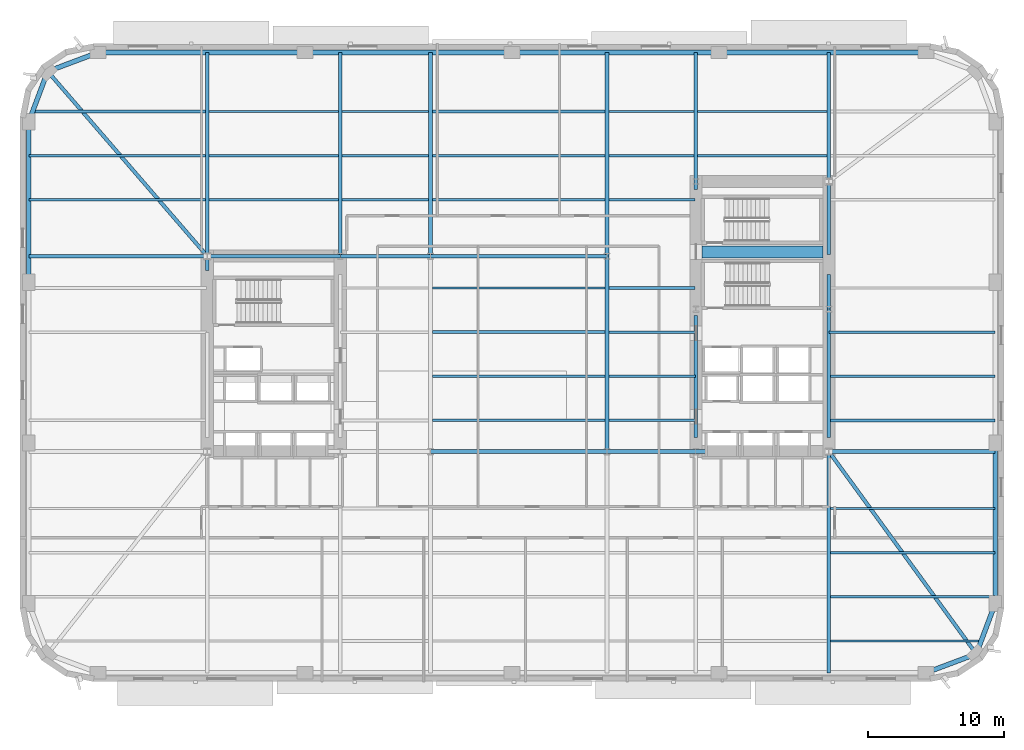
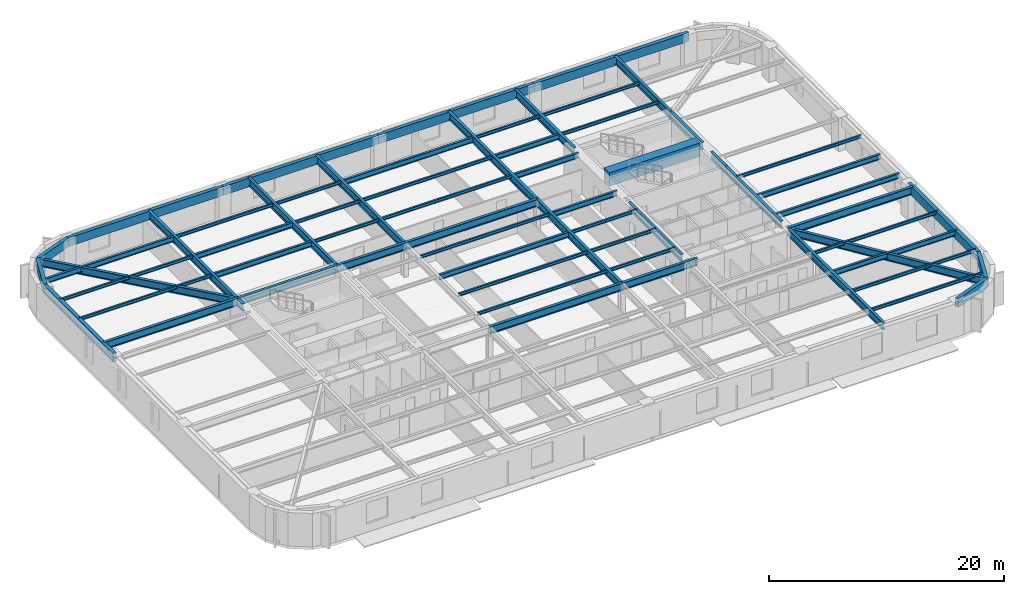
# One storey, part 2 of 15: 64 beams.
"""IFC4 building model written with IfcOpenShell, lengths in metres."""

from ifc_helpers import new_model, si_unit, direction, frame, origin, origin_2d, place, context, subcontext, project, spatial, rectangle, hollow_rectangle, i_section, extrude, material, material_profile, profile_set, type_object, element, save


model = new_model("IFC4")

# Units and contexts
model_context = context("Model", 3, precision=1e-05, world=origin(), true_north=direction((0.0, 1.0)))
body_context = subcontext(model_context, "Body", "Model", "MODEL_VIEW")
ifc_project = project(units=[si_unit("LENGTHUNIT", "METRE"), si_unit("AREAUNIT", "SQUARE_METRE"), si_unit("VOLUMEUNIT", "CUBIC_METRE"), si_unit("PLANEANGLEUNIT", "RADIAN"), si_unit("MASSUNIT", "GRAM", prefix="KILO")], contexts=[model_context])

# Site, building, storey
site_placement = place(None, origin())
site = spatial("IfcSite", under=ifc_project, at=site_placement, CompositionType="ELEMENT")
building_placement = place(site_placement, origin())
building = spatial("IfcBuilding", under=site, at=building_placement, Name="Kolvaren Arena Tower", CompositionType="ELEMENT")
storey_placement = place(building_placement, frame((0.0, 0.0, 72.0)))
storey = spatial("IfcBuildingStorey", under=building, at=storey_placement, Name="L15", CompositionType="ELEMENT", Elevation=72.0)

# Beams
ifc_material_1 = material(Name="Steel CSA G40.21 350W", Category="steel")
ifc_material_profile_1 = material_profile(ifc_material_1, i_section(OverallWidth=0.2119140625, OverallDepth=0.54296875, WebThickness=0.01318359375, FlangeThickness=0.0244140625, FilletRadius=0.013916015625, at=origin_2d()), Name="W530x150")
ifc_profile_set_1 = profile_set([ifc_material_profile_1], Name="Steel CSA G40.21 350W")
beam_type_1 = type_object("IfcBeamType", Name="BEAM-F1", PredefinedType="BEAM", material=ifc_profile_set_1)
beam_1_placement = place(storey_placement, frame((60.485107421875, 12.0, 3.20849609375), z_axis=(1.0, 0.0, 0.0), x_axis=(0.0, 1.0, 0.0)))
element("IfcBeam", 1, at=beam_1_placement, inside=storey, type_object=beam_type_1, Name="Composite Floor Beam (L15)", PredefinedType="BEAM", context=body_context, shape_type="SweptSolid", body=[
    extrude(i_section(OverallWidth=0.2119140625, OverallDepth=0.54296875, WebThickness=0.01318359375, FlangeThickness=0.0244140625, FilletRadius=0.013916015625, at=origin_2d()), origin(), (0.0, 0.0, 1.0), 12.114990234375),
])
for number, where, z_axis, x_axis, name in (
    (2, (60.3701171875, 21.75, 3.20849609375), (1.0, 0.0, 0.0), (0.0, 1.0, 0.0), "Composite Floor Beam (L15)"),
    (3, (60.3701171875, 25.0, 3.20849609375), (1.0, 0.0, 0.0), (0.0, 1.0, 0.0), "Composite Floor Beam (L15)"),
):
    element("IfcBeam", number, at=place(storey_placement, frame(where, z_axis=z_axis, x_axis=x_axis)), inside=storey, type_object=beam_type_1, Name=name, PredefinedType="BEAM", context=body_context, shape_type="SweptSolid", body=[
        extrude(i_section(OverallWidth=0.2119140625, OverallDepth=0.54296875, WebThickness=0.01318359375, FlangeThickness=0.0244140625, FilletRadius=0.013916015625, at=origin_2d()), origin(), (0.0, 0.0, 1.0), 12.22998046875),
    ])
beam_2_placement = place(storey_placement, frame((31.135009765625, 28.25, 3.20849609375), z_axis=(1.0, 0.0, 0.0), x_axis=(0.0, 1.0, 0.0)))
element("IfcBeam", 4, at=beam_2_placement, inside=storey, type_object=beam_type_1, Name="Composite Floor Beam (L15)", PredefinedType="BEAM", context=body_context, shape_type="SweptSolid", body=[
    extrude(i_section(OverallWidth=0.2119140625, OverallDepth=0.54296875, WebThickness=0.01318359375, FlangeThickness=0.0244140625, FilletRadius=0.013916015625, at=origin_2d()), origin(), (0.0, 0.0, 1.0), 12.72998046875),
])
beam_3_placement = place(storey_placement, frame((44.135009765625, 31.5, 3.20849609375), z_axis=(1.0, 0.0, 0.0), x_axis=(0.0, 1.0, 0.0)))
element("IfcBeam", 5, at=beam_3_placement, inside=storey, type_object=beam_type_1, Name="Composite Floor Beam (L15)", PredefinedType="BEAM", context=body_context, shape_type="SweptSolid", body=[
    extrude(i_section(OverallWidth=0.2119140625, OverallDepth=0.54296875, WebThickness=0.01318359375, FlangeThickness=0.0244140625, FilletRadius=0.013916015625, at=origin_2d()), origin(), (0.0, 0.0, 1.0), 6.344970703125),
])
beam_4_placement = place(storey_placement, frame((14.68505859375, 38.0, 3.20849609375), z_axis=(1.0, 0.0, 0.0), x_axis=(0.0, 1.0, 0.0)))
element("IfcBeam", 6, at=beam_4_placement, inside=storey, type_object=beam_type_1, Name="Composite Floor Beam (L15)", PredefinedType="BEAM", context=body_context, shape_type="SweptSolid", body=[
    extrude(i_section(OverallWidth=0.2119140625, OverallDepth=0.54296875, WebThickness=0.01318359375, FlangeThickness=0.0244140625, FilletRadius=0.013916015625, at=origin_2d()), origin(), (0.0, 0.0, 1.0), 9.530029296875),
])
beam_5_placement = place(storey_placement, frame((44.135009765625, 38.0, 3.20849609375), z_axis=(1.0, 0.0, 0.0), x_axis=(0.0, 1.0, 0.0)))
element("IfcBeam", 7, at=beam_5_placement, inside=storey, type_object=beam_type_1, Name="Composite Floor Beam (L15)", PredefinedType="BEAM", context=body_context, shape_type="SweptSolid", body=[
    extrude(i_section(OverallWidth=0.2119140625, OverallDepth=0.54296875, WebThickness=0.01318359375, FlangeThickness=0.0244140625, FilletRadius=0.013916015625, at=origin_2d()), origin(), (0.0, 0.0, 1.0), 6.344970703125),
])
beam_6_placement = place(storey_placement, frame((14.68505859375, 41.25, 3.20849609375), z_axis=(1.0, 0.0, 0.0), x_axis=(0.0, 1.0, 0.0)))
element("IfcBeam", 8, at=beam_6_placement, inside=storey, type_object=beam_type_1, Name="Composite Floor Beam (L15)", PredefinedType="BEAM", context=body_context, shape_type="SweptSolid", body=[
    extrude(i_section(OverallWidth=0.2119140625, OverallDepth=0.54296875, WebThickness=0.01318359375, FlangeThickness=0.0244140625, FilletRadius=0.013916015625, at=origin_2d()), origin(), (0.0, 0.0, 1.0), 9.530029296875),
])
beam_7_placement = place(storey_placement, frame((44.135009765625, 41.25, 3.20849609375), z_axis=(1.0, 0.0, 0.0), x_axis=(0.0, 1.0, 0.0)))
element("IfcBeam", 9, at=beam_7_placement, inside=storey, type_object=beam_type_1, Name="Composite Floor Beam (L15)", PredefinedType="BEAM", context=body_context, shape_type="SweptSolid", body=[
    extrude(i_section(OverallWidth=0.2119140625, OverallDepth=0.54296875, WebThickness=0.01318359375, FlangeThickness=0.0244140625, FilletRadius=0.013916015625, at=origin_2d()), origin(), (0.0, 0.0, 1.0), 6.280029296875),
])
beam_8_placement = place(storey_placement, frame((1.681396484375, 44.5, 3.20849609375), z_axis=(1.0, 0.0, 0.0), x_axis=(0.0, 1.0, 0.0)))
element("IfcBeam", 10, at=beam_8_placement, inside=storey, type_object=beam_type_1, Name="Composite Floor Beam (L15)", PredefinedType="BEAM", context=body_context, shape_type="SweptSolid", body=[
    extrude(i_section(OverallWidth=0.2119140625, OverallDepth=0.54296875, WebThickness=0.01318359375, FlangeThickness=0.0244140625, FilletRadius=0.013916015625, at=origin_2d()), origin(), (0.0, 0.0, 1.0), 12.733642578125),
])
beam_9_placement = place(storey_placement, frame((31.135009765625, 44.5, 3.20849609375), z_axis=(1.0, 0.0, 0.0), x_axis=(0.0, 1.0, 0.0)))
element("IfcBeam", 11, at=beam_9_placement, inside=storey, type_object=beam_type_1, Name="Composite Floor Beam (L15)", PredefinedType="BEAM", context=body_context, shape_type="SweptSolid", body=[
    extrude(i_section(OverallWidth=0.2119140625, OverallDepth=0.54296875, WebThickness=0.01318359375, FlangeThickness=0.0244140625, FilletRadius=0.013916015625, at=origin_2d()), origin(), (0.0, 0.0, 1.0), 12.72998046875),
])
ifc_material_2 = material(Name="Concrete 75 MPa", Category="concrete")
ifc_material_profile_2 = material_profile(ifc_material_2, rectangle(XDim=0.89990234375, YDim=1.39990234375, at=origin_2d()), Name="RC-900x1400")
ifc_profile_set_2 = profile_set([ifc_material_profile_2], Name="Concrete 75 MPa")
beam_type_2 = type_object("IfcBeamType", Name="CB-CORE-1", PredefinedType="BEAM", material=ifc_profile_set_2)
beam_10_placement = place(storey_placement, frame((51.0, 34.14990234375, 3.050048828125), z_axis=(1.0, 0.0, 0.0), x_axis=(0.0, 1.0, 0.0)))
element("IfcBeam", 12, at=beam_10_placement, inside=storey, type_object=beam_type_2, Name="East Core Coupling Beam (L15)", PredefinedType="BEAM", context=body_context, shape_type="SweptSolid", body=[
    extrude(rectangle(XDim=0.89990234375, YDim=1.39990234375, at=origin_2d()), origin(), (0.0, 0.0, 1.0), 8.89990234375),
])
ifc_material_profile_3 = material_profile(ifc_material_1, i_section(OverallWidth=0.27001953125, OverallDepth=0.77294921875, WebThickness=0.019287109375, FlangeThickness=0.033447265625, FilletRadius=0.01806640625, at=origin_2d()), Name="W760x257")
ifc_profile_set_3 = profile_set([ifc_material_profile_3], Name="Steel CSA G40.21 350W")
beam_type_3 = type_object("IfcBeamType", Name="GIRD-T1", PredefinedType="BEAM", material=ifc_profile_set_3)
beam_11_placement = place(storey_placement, frame((71.208740234375, 4.541259765625, 3.093505859375), z_axis=(-0.588737448901, 0.80832432616, 0.0), x_axis=(-0.80832432616, -0.588737448901, 0.0)))
element("IfcBeam", 13, at=beam_11_placement, inside=storey, type_object=beam_type_3, Name="Corner Diagonal Tie Girder (L15)", PredefinedType="BEAM", context=body_context, shape_type="SweptSolid", body=[
    extrude(i_section(OverallWidth=0.27001953125, OverallDepth=0.77294921875, WebThickness=0.019287109375, FlangeThickness=0.033447265625, FilletRadius=0.01806640625, at=origin_2d()), origin(), (0.0, 0.0, 1.0), 18.44384765625),
])
beam_12_placement = place(storey_placement, frame((2.791259765625, 47.458740234375, 3.093505859375), z_axis=(0.653806810332, -0.756661519283, 0.0), x_axis=(0.756661519283, 0.653806810332, 0.0)))
element("IfcBeam", 14, at=beam_12_placement, inside=storey, type_object=beam_type_3, Name="Corner Diagonal Tie Girder (L15)", PredefinedType="BEAM", context=body_context, shape_type="SweptSolid", body=[
    extrude(i_section(OverallWidth=0.27001953125, OverallDepth=0.77294921875, WebThickness=0.019287109375, FlangeThickness=0.033447265625, FilletRadius=0.01806640625, at=origin_2d()), origin(), (0.0, 0.0, 1.0), 17.985107421875),
])
beam_13_placement = place(storey_placement, frame((31.0, 19.449951171875, 3.093505859375), z_axis=(1.0, 0.0, 0.0), x_axis=(0.0, 1.0, 0.0)))
element("IfcBeam", 15, at=beam_13_placement, inside=storey, type_object=beam_type_3, Name="Primary Floor Girder (L15)", PredefinedType="BEAM", context=body_context, shape_type="SweptSolid", body=[
    extrude(i_section(OverallWidth=0.27001953125, OverallDepth=0.77294921875, WebThickness=0.019287109375, FlangeThickness=0.033447265625, FilletRadius=0.01806640625, at=origin_2d()), origin(), (0.0, 0.0, 1.0), 13.0),
])
beam_14_placement = place(storey_placement, frame((44.0, 19.449951171875, 3.093505859375), z_axis=(1.0, 0.0, 0.0), x_axis=(0.0, 1.0, 0.0)))
element("IfcBeam", 16, at=beam_14_placement, inside=storey, type_object=beam_type_3, Name="Primary Floor Girder (L15)", PredefinedType="BEAM", context=body_context, shape_type="SweptSolid", body=[
    extrude(i_section(OverallWidth=0.27001953125, OverallDepth=0.77294921875, WebThickness=0.019287109375, FlangeThickness=0.033447265625, FilletRadius=0.01806640625, at=origin_2d()), origin(), (0.0, 0.0, 1.0), 7.4150390625),
])
beam_15_placement = place(storey_placement, frame((60.35009765625, 19.449951171875, 3.093505859375), z_axis=(1.0, 0.0, 0.0), x_axis=(0.0, 1.0, 0.0)))
element("IfcBeam", 17, at=beam_15_placement, inside=storey, type_object=beam_type_3, Name="Primary Floor Girder (L15)", PredefinedType="BEAM", context=body_context, shape_type="SweptSolid", body=[
    extrude(i_section(OverallWidth=0.27001953125, OverallDepth=0.77294921875, WebThickness=0.019287109375, FlangeThickness=0.033447265625, FilletRadius=0.01806640625, at=origin_2d()), origin(), (0.0, 0.0, 1.0), 12.25),
])
beam_16_placement = place(storey_placement, frame((1.39990234375, 33.85009765625, 3.093505859375), z_axis=(1.0, 0.0, 0.0), x_axis=(0.0, 1.0, 0.0)))
element("IfcBeam", 18, at=beam_16_placement, inside=storey, type_object=beam_type_3, Name="Primary Floor Girder (L15)", PredefinedType="BEAM", context=body_context, shape_type="SweptSolid", body=[
    extrude(i_section(OverallWidth=0.27001953125, OverallDepth=0.77294921875, WebThickness=0.019287109375, FlangeThickness=0.033447265625, FilletRadius=0.01806640625, at=origin_2d()), origin(), (0.0, 0.0, 1.0), 13.150146484375),
])
beam_17_placement = place(storey_placement, frame((14.550048828125, 33.85009765625, 3.093505859375), z_axis=(1.0, 0.0, 0.0), x_axis=(0.0, 1.0, 0.0)))
element("IfcBeam", 19, at=beam_17_placement, inside=storey, type_object=beam_type_3, Name="Primary Floor Girder (L15)", PredefinedType="BEAM", context=body_context, shape_type="SweptSolid", body=[
    extrude(i_section(OverallWidth=0.27001953125, OverallDepth=0.77294921875, WebThickness=0.019287109375, FlangeThickness=0.033447265625, FilletRadius=0.01806640625, at=origin_2d()), origin(), (0.0, 0.0, 1.0), 9.800048828125),
])
beam_18_placement = place(storey_placement, frame((24.35009765625, 33.85009765625, 3.093505859375), z_axis=(1.0, 0.0, 0.0), x_axis=(0.0, 1.0, 0.0)))
element("IfcBeam", 20, at=beam_18_placement, inside=storey, type_object=beam_type_3, Name="Primary Floor Girder (L15)", PredefinedType="BEAM", context=body_context, shape_type="SweptSolid", body=[
    extrude(i_section(OverallWidth=0.27001953125, OverallDepth=0.77294921875, WebThickness=0.019287109375, FlangeThickness=0.033447265625, FilletRadius=0.01806640625, at=origin_2d()), origin(), (0.0, 0.0, 1.0), 6.64990234375),
])
beam_19_placement = place(storey_placement, frame((31.0, 33.85009765625, 3.093505859375), z_axis=(1.0, 0.0, 0.0), x_axis=(0.0, 1.0, 0.0)))
element("IfcBeam", 21, at=beam_19_placement, inside=storey, type_object=beam_type_3, Name="Primary Floor Girder (L15)", PredefinedType="BEAM", context=body_context, shape_type="SweptSolid", body=[
    extrude(i_section(OverallWidth=0.27001953125, OverallDepth=0.77294921875, WebThickness=0.019287109375, FlangeThickness=0.033447265625, FilletRadius=0.01806640625, at=origin_2d()), origin(), (0.0, 0.0, 1.0), 13.0),
])
beam_20_placement = place(storey_placement, frame((14.550048828125, 32.7900390625, 3.093505859375), z_axis=(0.0, 1.0, 0.0), x_axis=(-1.0, 0.0, 0.0)))
element("IfcBeam", 22, at=beam_20_placement, inside=storey, type_object=beam_type_3, Name="Primary Floor Girder (L15)", PredefinedType="BEAM", context=body_context, shape_type="SweptSolid", body=[
    extrude(i_section(OverallWidth=0.27001953125, OverallDepth=0.77294921875, WebThickness=0.019287109375, FlangeThickness=0.033447265625, FilletRadius=0.01806640625, at=origin_2d()), origin(), (0.0, 0.0, 1.0), 16.06005859375),
])
for number, where, z_axis, x_axis, name in (
    (23, (24.35009765625, 33.85009765625, 3.093505859375), (0.0, 1.0, 0.0), (-1.0, 0.0, 0.0), "Primary Floor Girder (L15)"),
    (24, (31.0, 33.85009765625, 3.093505859375), (0.0, 1.0, 0.0), (-1.0, 0.0, 0.0), "Primary Floor Girder (L15)"),
):
    element("IfcBeam", number, at=place(storey_placement, frame(where, z_axis=z_axis, x_axis=x_axis)), inside=storey, type_object=beam_type_3, Name=name, PredefinedType="BEAM", context=body_context, shape_type="SweptSolid", body=[
        extrude(i_section(OverallWidth=0.27001953125, OverallDepth=0.77294921875, WebThickness=0.019287109375, FlangeThickness=0.033447265625, FilletRadius=0.01806640625, at=origin_2d()), origin(), (0.0, 0.0, 1.0), 15.0),
    ])
beam_21_placement = place(storey_placement, frame((44.0, 19.449951171875, 3.093505859375), z_axis=(0.0, 1.0, 0.0), x_axis=(-1.0, 0.0, 0.0)))
element("IfcBeam", 25, at=beam_21_placement, inside=storey, type_object=beam_type_3, Name="Primary Floor Girder (L15)", PredefinedType="BEAM", context=body_context, shape_type="SweptSolid", body=[
    extrude(i_section(OverallWidth=0.27001953125, OverallDepth=0.77294921875, WebThickness=0.019287109375, FlangeThickness=0.033447265625, FilletRadius=0.01806640625, at=origin_2d()), origin(), (0.0, 0.0, 1.0), 14.400146484375),
])
beam_22_placement = place(storey_placement, frame((44.0, 33.85009765625, 3.093505859375), z_axis=(0.0, 1.0, 0.0), x_axis=(-1.0, 0.0, 0.0)))
element("IfcBeam", 26, at=beam_22_placement, inside=storey, type_object=beam_type_3, Name="Primary Floor Girder (L15)", PredefinedType="BEAM", context=body_context, shape_type="SweptSolid", body=[
    extrude(i_section(OverallWidth=0.27001953125, OverallDepth=0.77294921875, WebThickness=0.019287109375, FlangeThickness=0.033447265625, FilletRadius=0.01806640625, at=origin_2d()), origin(), (0.0, 0.0, 1.0), 15.0),
])
beam_23_placement = place(storey_placement, frame((50.550048828125, 20.5, 3.093505859375), z_axis=(0.0, 1.0, 0.0), x_axis=(-1.0, 0.0, 0.0)))
element("IfcBeam", 27, at=beam_23_placement, inside=storey, type_object=beam_type_3, Name="Primary Floor Girder (L15)", PredefinedType="BEAM", context=body_context, shape_type="SweptSolid", body=[
    extrude(i_section(OverallWidth=0.27001953125, OverallDepth=0.77294921875, WebThickness=0.019287109375, FlangeThickness=0.033447265625, FilletRadius=0.01806640625, at=origin_2d()), origin(), (0.0, 0.0, 1.0), 8.989990234375),
])
beam_24_placement = place(storey_placement, frame((50.550048828125, 38.760009765625, 3.093505859375), z_axis=(0.0, 1.0, 0.0), x_axis=(-1.0, 0.0, 0.0)))
element("IfcBeam", 28, at=beam_24_placement, inside=storey, type_object=beam_type_3, Name="Primary Floor Girder (L15)", PredefinedType="BEAM", context=body_context, shape_type="SweptSolid", body=[
    extrude(i_section(OverallWidth=0.27001953125, OverallDepth=0.77294921875, WebThickness=0.019287109375, FlangeThickness=0.033447265625, FilletRadius=0.01806640625, at=origin_2d()), origin(), (0.0, 0.0, 1.0), 10.090087890625),
])
beam_25_placement = place(storey_placement, frame((60.35009765625, 3.14990234375, 3.093505859375), z_axis=(0.0, 1.0, 0.0), x_axis=(-1.0, 0.0, 0.0)))
element("IfcBeam", 29, at=beam_25_placement, inside=storey, type_object=beam_type_3, Name="Primary Floor Girder (L15)", PredefinedType="BEAM", context=body_context, shape_type="SweptSolid", body=[
    extrude(i_section(OverallWidth=0.27001953125, OverallDepth=0.77294921875, WebThickness=0.019287109375, FlangeThickness=0.033447265625, FilletRadius=0.01806640625, at=origin_2d()), origin(), (0.0, 0.0, 1.0), 16.300048828125),
])
beam_26_placement = place(storey_placement, frame((60.35009765625, 20.5, 3.093505859375), z_axis=(0.0, 1.0, 0.0), x_axis=(-1.0, 0.0, 0.0)))
element("IfcBeam", 30, at=beam_26_placement, inside=storey, type_object=beam_type_3, Name="Primary Floor Girder (L15)", PredefinedType="BEAM", context=body_context, shape_type="SweptSolid", body=[
    extrude(i_section(OverallWidth=0.27001953125, OverallDepth=0.77294921875, WebThickness=0.019287109375, FlangeThickness=0.033447265625, FilletRadius=0.01806640625, at=origin_2d()), origin(), (0.0, 0.0, 1.0), 9.449951171875),
])
beam_27_placement = place(storey_placement, frame((60.35009765625, 29.949951171875, 3.093505859375), z_axis=(0.0, 1.0, 0.0), x_axis=(-1.0, 0.0, 0.0)))
element("IfcBeam", 31, at=beam_27_placement, inside=storey, type_object=beam_type_3, Name="Primary Floor Girder (L15)", PredefinedType="BEAM", context=body_context, shape_type="SweptSolid", body=[
    extrude(i_section(OverallWidth=0.27001953125, OverallDepth=0.77294921875, WebThickness=0.019287109375, FlangeThickness=0.033447265625, FilletRadius=0.01806640625, at=origin_2d()), origin(), (0.0, 0.0, 1.0), 2.550048828125),
])
beam_28_placement = place(storey_placement, frame((60.35009765625, 33.985107421875, 3.093505859375), z_axis=(0.0, 1.0, 0.0), x_axis=(-1.0, 0.0, 0.0)))
element("IfcBeam", 32, at=beam_28_placement, inside=storey, type_object=beam_type_3, Name="Primary Floor Girder (L15)", PredefinedType="BEAM", context=body_context, shape_type="SweptSolid", body=[
    extrude(i_section(OverallWidth=0.27001953125, OverallDepth=0.77294921875, WebThickness=0.019287109375, FlangeThickness=0.033447265625, FilletRadius=0.01806640625, at=origin_2d()), origin(), (0.0, 0.0, 1.0), 5.364990234375),
])
beam_29_placement = place(storey_placement, frame((60.35009765625, 39.35009765625, 3.093505859375), z_axis=(0.0, 1.0, 0.0), x_axis=(-1.0, 0.0, 0.0)))
element("IfcBeam", 33, at=beam_29_placement, inside=storey, type_object=beam_type_3, Name="Primary Floor Girder (L15)", PredefinedType="BEAM", context=body_context, shape_type="SweptSolid", body=[
    extrude(i_section(OverallWidth=0.27001953125, OverallDepth=0.77294921875, WebThickness=0.019287109375, FlangeThickness=0.033447265625, FilletRadius=0.01806640625, at=origin_2d()), origin(), (0.0, 0.0, 1.0), 9.5),
])
ifc_material_profile_4 = material_profile(ifc_material_1, i_section(OverallWidth=0.1669921875, OverallDepth=0.31689453125, WebThickness=0.007568359375, FlangeThickness=0.01318359375, FilletRadius=0.010009765625, at=origin_2d()), Name="W310x52")
ifc_profile_set_4 = profile_set([ifc_material_profile_4], Name="Steel CSA G40.21 350W")
beam_type_4 = type_object("IfcBeamType", Name="JOIST-02", PredefinedType="JOIST", material=ifc_profile_set_4)
beam_30_placement = place(storey_placement, frame((60.485107421875, 5.5, 3.321533203125), z_axis=(1.0, 0.0, 0.0), x_axis=(0.0, 1.0, 0.0)))
element("IfcBeam", 34, at=beam_30_placement, inside=storey, type_object=beam_type_4, Name="Composite Floor Joist (L15)", PredefinedType="JOIST", context=body_context, shape_type="SweptSolid", body=[
    extrude(i_section(OverallWidth=0.1669921875, OverallDepth=0.31689453125, WebThickness=0.007568359375, FlangeThickness=0.01318359375, FilletRadius=0.010009765625, at=origin_2d()), origin(), (0.0, 0.0, 1.0), 11.08349609375),
])
for number, where, z_axis, x_axis, name in (
    (35, (60.485107421875, 8.75, 3.321533203125), (1.0, 0.0, 0.0), (0.0, 1.0, 0.0), "Composite Floor Joist (L15)"),
    (36, (60.485107421875, 15.25, 3.321533203125), (1.0, 0.0, 0.0), (0.0, 1.0, 0.0), "Composite Floor Joist (L15)"),
):
    element("IfcBeam", number, at=place(storey_placement, frame(where, z_axis=z_axis, x_axis=x_axis)), inside=storey, type_object=beam_type_4, Name=name, PredefinedType="JOIST", context=body_context, shape_type="SweptSolid", body=[
        extrude(i_section(OverallWidth=0.1669921875, OverallDepth=0.31689453125, WebThickness=0.007568359375, FlangeThickness=0.01318359375, FilletRadius=0.010009765625, at=origin_2d()), origin(), (0.0, 0.0, 1.0), 12.114990234375),
    ])
beam_31_placement = place(storey_placement, frame((31.135009765625, 21.75, 3.321533203125), z_axis=(1.0, 0.0, 0.0), x_axis=(0.0, 1.0, 0.0)))
element("IfcBeam", 37, at=beam_31_placement, inside=storey, type_object=beam_type_4, Name="Composite Floor Joist (L15)", PredefinedType="JOIST", context=body_context, shape_type="SweptSolid", body=[
    extrude(i_section(OverallWidth=0.1669921875, OverallDepth=0.31689453125, WebThickness=0.007568359375, FlangeThickness=0.01318359375, FilletRadius=0.010009765625, at=origin_2d()), origin(), (0.0, 0.0, 1.0), 12.72998046875),
])
beam_32_placement = place(storey_placement, frame((44.135009765625, 21.75, 3.321533203125), z_axis=(1.0, 0.0, 0.0), x_axis=(0.0, 1.0, 0.0)))
element("IfcBeam", 38, at=beam_32_placement, inside=storey, type_object=beam_type_4, Name="Composite Floor Joist (L15)", PredefinedType="JOIST", context=body_context, shape_type="SweptSolid", body=[
    extrude(i_section(OverallWidth=0.1669921875, OverallDepth=0.31689453125, WebThickness=0.007568359375, FlangeThickness=0.01318359375, FilletRadius=0.010009765625, at=origin_2d()), origin(), (0.0, 0.0, 1.0), 6.39501953125),
])
beam_33_placement = place(storey_placement, frame((31.135009765625, 25.0, 3.321533203125), z_axis=(1.0, 0.0, 0.0), x_axis=(0.0, 1.0, 0.0)))
element("IfcBeam", 39, at=beam_33_placement, inside=storey, type_object=beam_type_4, Name="Composite Floor Joist (L15)", PredefinedType="JOIST", context=body_context, shape_type="SweptSolid", body=[
    extrude(i_section(OverallWidth=0.1669921875, OverallDepth=0.31689453125, WebThickness=0.007568359375, FlangeThickness=0.01318359375, FilletRadius=0.010009765625, at=origin_2d()), origin(), (0.0, 0.0, 1.0), 12.72998046875),
])
for number, where, z_axis, x_axis, name in (
    (40, (44.135009765625, 25.0, 3.321533203125), (1.0, 0.0, 0.0), (0.0, 1.0, 0.0), "Composite Floor Joist (L15)"),
    (41, (44.135009765625, 28.25, 3.321533203125), (1.0, 0.0, 0.0), (0.0, 1.0, 0.0), "Composite Floor Joist (L15)"),
):
    element("IfcBeam", number, at=place(storey_placement, frame(where, z_axis=z_axis, x_axis=x_axis)), inside=storey, type_object=beam_type_4, Name=name, PredefinedType="JOIST", context=body_context, shape_type="SweptSolid", body=[
        extrude(i_section(OverallWidth=0.1669921875, OverallDepth=0.31689453125, WebThickness=0.007568359375, FlangeThickness=0.01318359375, FilletRadius=0.010009765625, at=origin_2d()), origin(), (0.0, 0.0, 1.0), 6.39501953125),
    ])
beam_34_placement = place(storey_placement, frame((60.3701171875, 28.25, 3.321533203125), z_axis=(1.0, 0.0, 0.0), x_axis=(0.0, 1.0, 0.0)))
element("IfcBeam", 42, at=beam_34_placement, inside=storey, type_object=beam_type_4, Name="Composite Floor Joist (L15)", PredefinedType="JOIST", context=body_context, shape_type="SweptSolid", body=[
    extrude(i_section(OverallWidth=0.1669921875, OverallDepth=0.31689453125, WebThickness=0.007568359375, FlangeThickness=0.01318359375, FilletRadius=0.010009765625, at=origin_2d()), origin(), (0.0, 0.0, 1.0), 12.22998046875),
])
beam_35_placement = place(storey_placement, frame((31.135009765625, 31.5, 3.321533203125), z_axis=(1.0, 0.0, 0.0), x_axis=(0.0, 1.0, 0.0)))
element("IfcBeam", 43, at=beam_35_placement, inside=storey, type_object=beam_type_4, Name="Composite Floor Joist (L15)", PredefinedType="JOIST", context=body_context, shape_type="SweptSolid", body=[
    extrude(i_section(OverallWidth=0.1669921875, OverallDepth=0.31689453125, WebThickness=0.007568359375, FlangeThickness=0.01318359375, FilletRadius=0.010009765625, at=origin_2d()), origin(), (0.0, 0.0, 1.0), 12.72998046875),
])
beam_36_placement = place(storey_placement, frame((1.39990234375, 38.0, 3.321533203125), z_axis=(1.0, 0.0, 0.0), x_axis=(0.0, 1.0, 0.0)))
element("IfcBeam", 44, at=beam_36_placement, inside=storey, type_object=beam_type_4, Name="Composite Floor Joist (L15)", PredefinedType="JOIST", context=body_context, shape_type="SweptSolid", body=[
    extrude(i_section(OverallWidth=0.1669921875, OverallDepth=0.31689453125, WebThickness=0.007568359375, FlangeThickness=0.01318359375, FilletRadius=0.010009765625, at=origin_2d()), origin(), (0.0, 0.0, 1.0), 13.01513671875),
])
beam_37_placement = place(storey_placement, frame((24.485107421875, 38.0, 3.321533203125), z_axis=(1.0, 0.0, 0.0), x_axis=(0.0, 1.0, 0.0)))
element("IfcBeam", 45, at=beam_37_placement, inside=storey, type_object=beam_type_4, Name="Composite Floor Joist (L15)", PredefinedType="JOIST", context=body_context, shape_type="SweptSolid", body=[
    extrude(i_section(OverallWidth=0.1669921875, OverallDepth=0.31689453125, WebThickness=0.007568359375, FlangeThickness=0.01318359375, FilletRadius=0.010009765625, at=origin_2d()), origin(), (0.0, 0.0, 1.0), 6.3798828125),
])
beam_38_placement = place(storey_placement, frame((31.135009765625, 38.0, 3.321533203125), z_axis=(1.0, 0.0, 0.0), x_axis=(0.0, 1.0, 0.0)))
element("IfcBeam", 46, at=beam_38_placement, inside=storey, type_object=beam_type_4, Name="Composite Floor Joist (L15)", PredefinedType="JOIST", context=body_context, shape_type="SweptSolid", body=[
    extrude(i_section(OverallWidth=0.1669921875, OverallDepth=0.31689453125, WebThickness=0.007568359375, FlangeThickness=0.01318359375, FilletRadius=0.010009765625, at=origin_2d()), origin(), (0.0, 0.0, 1.0), 12.72998046875),
])
beam_39_placement = place(storey_placement, frame((1.39990234375, 41.25, 3.321533203125), z_axis=(1.0, 0.0, 0.0), x_axis=(0.0, 1.0, 0.0)))
element("IfcBeam", 47, at=beam_39_placement, inside=storey, type_object=beam_type_4, Name="Composite Floor Joist (L15)", PredefinedType="JOIST", context=body_context, shape_type="SweptSolid", body=[
    extrude(i_section(OverallWidth=0.1669921875, OverallDepth=0.31689453125, WebThickness=0.007568359375, FlangeThickness=0.01318359375, FilletRadius=0.010009765625, at=origin_2d()), origin(), (0.0, 0.0, 1.0), 13.01513671875),
])
beam_40_placement = place(storey_placement, frame((24.485107421875, 41.25, 3.321533203125), z_axis=(1.0, 0.0, 0.0), x_axis=(0.0, 1.0, 0.0)))
element("IfcBeam", 48, at=beam_40_placement, inside=storey, type_object=beam_type_4, Name="Composite Floor Joist (L15)", PredefinedType="JOIST", context=body_context, shape_type="SweptSolid", body=[
    extrude(i_section(OverallWidth=0.1669921875, OverallDepth=0.31689453125, WebThickness=0.007568359375, FlangeThickness=0.01318359375, FilletRadius=0.010009765625, at=origin_2d()), origin(), (0.0, 0.0, 1.0), 6.3798828125),
])
beam_41_placement = place(storey_placement, frame((31.135009765625, 41.25, 3.321533203125), z_axis=(1.0, 0.0, 0.0), x_axis=(0.0, 1.0, 0.0)))
element("IfcBeam", 49, at=beam_41_placement, inside=storey, type_object=beam_type_4, Name="Composite Floor Joist (L15)", PredefinedType="JOIST", context=body_context, shape_type="SweptSolid", body=[
    extrude(i_section(OverallWidth=0.1669921875, OverallDepth=0.31689453125, WebThickness=0.007568359375, FlangeThickness=0.01318359375, FilletRadius=0.010009765625, at=origin_2d()), origin(), (0.0, 0.0, 1.0), 12.72998046875),
])
for number, where, z_axis, x_axis, name in (
    (50, (50.68505859375, 41.25, 3.321533203125), (1.0, 0.0, 0.0), (0.0, 1.0, 0.0), "Composite Floor Joist (L15)"),
    (51, (14.68505859375, 44.5, 3.321533203125), (1.0, 0.0, 0.0), (0.0, 1.0, 0.0), "Composite Floor Joist (L15)"),
):
    element("IfcBeam", number, at=place(storey_placement, frame(where, z_axis=z_axis, x_axis=x_axis)), inside=storey, type_object=beam_type_4, Name=name, PredefinedType="JOIST", context=body_context, shape_type="SweptSolid", body=[
        extrude(i_section(OverallWidth=0.1669921875, OverallDepth=0.31689453125, WebThickness=0.007568359375, FlangeThickness=0.01318359375, FilletRadius=0.010009765625, at=origin_2d()), origin(), (0.0, 0.0, 1.0), 9.530029296875),
    ])
beam_42_placement = place(storey_placement, frame((24.485107421875, 44.5, 3.321533203125), z_axis=(1.0, 0.0, 0.0), x_axis=(0.0, 1.0, 0.0)))
element("IfcBeam", 52, at=beam_42_placement, inside=storey, type_object=beam_type_4, Name="Composite Floor Joist (L15)", PredefinedType="JOIST", context=body_context, shape_type="SweptSolid", body=[
    extrude(i_section(OverallWidth=0.1669921875, OverallDepth=0.31689453125, WebThickness=0.007568359375, FlangeThickness=0.01318359375, FilletRadius=0.010009765625, at=origin_2d()), origin(), (0.0, 0.0, 1.0), 6.3798828125),
])
beam_43_placement = place(storey_placement, frame((44.135009765625, 44.5, 3.321533203125), z_axis=(1.0, 0.0, 0.0), x_axis=(0.0, 1.0, 0.0)))
element("IfcBeam", 53, at=beam_43_placement, inside=storey, type_object=beam_type_4, Name="Composite Floor Joist (L15)", PredefinedType="JOIST", context=body_context, shape_type="SweptSolid", body=[
    extrude(i_section(OverallWidth=0.1669921875, OverallDepth=0.31689453125, WebThickness=0.007568359375, FlangeThickness=0.01318359375, FilletRadius=0.010009765625, at=origin_2d()), origin(), (0.0, 0.0, 1.0), 6.280029296875),
])
beam_44_placement = place(storey_placement, frame((50.68505859375, 44.5, 3.321533203125), z_axis=(1.0, 0.0, 0.0), x_axis=(0.0, 1.0, 0.0)))
element("IfcBeam", 54, at=beam_44_placement, inside=storey, type_object=beam_type_4, Name="Composite Floor Joist (L15)", PredefinedType="JOIST", context=body_context, shape_type="SweptSolid", body=[
    extrude(i_section(OverallWidth=0.1669921875, OverallDepth=0.31689453125, WebThickness=0.007568359375, FlangeThickness=0.01318359375, FilletRadius=0.010009765625, at=origin_2d()), origin(), (0.0, 0.0, 1.0), 9.530029296875),
])
ifc_material_3 = material(Name="Steel CSA G40.21 350WT", Category="steel")
ifc_material_profile_5 = material_profile(ifc_material_3, hollow_rectangle(XDim=0.35009765625, YDim=0.89990234375, WallThickness=0.02001953125, at=origin_2d()), Name="HSS 900x350x20")
ifc_profile_set_5 = profile_set([ifc_material_profile_5], Name="Steel CSA G40.21 350WT")
beam_type_5 = type_object("IfcBeamType", Name="SPAND-01", PredefinedType="SPANDREL", material=ifc_profile_set_5)
for number, where, z_axis, x_axis, name in (
    (55, (67.5, 3.14990234375, 3.030029296875), (0.93628104365, 0.351251771955, 0.0), (-0.351251771955, 0.93628104365, 0.0), "Perimeter Spandrel Beam (L15)"),
    (56, (71.208740234375, 4.541259765625, 3.030029296875), (0.351251771955, 0.93628104365, 0.0), (-0.93628104365, 0.351251771955, 0.0), "Perimeter Spandrel Beam (L15)"),
):
    element("IfcBeam", number, at=place(storey_placement, frame(where, z_axis=z_axis, x_axis=x_axis)), inside=storey, type_object=beam_type_5, Name=name, PredefinedType="SPANDREL", context=body_context, shape_type="SweptSolid", body=[
        extrude(hollow_rectangle(XDim=0.35009765625, YDim=0.89990234375, WallThickness=0.02001953125, at=origin_2d()), origin(), (0.0, 0.0, 1.0), 3.961181640625),
    ])
beam_45_placement = place(storey_placement, frame((72.60009765625, 8.25, 3.030029296875), z_axis=(0.0, 1.0, 0.0), x_axis=(-1.0, 0.0, 0.0)))
element("IfcBeam", 57, at=beam_45_placement, inside=storey, type_object=beam_type_5, Name="Perimeter Spandrel Beam (L15)", PredefinedType="SPANDREL", context=body_context, shape_type="SweptSolid", body=[
    extrude(hollow_rectangle(XDim=0.35009765625, YDim=0.89990234375, WallThickness=0.02001953125, at=origin_2d()), origin(), (0.0, 0.0, 1.0), 11.833251953125),
])
for number, where, z_axis, x_axis, name in (
    (58, (67.5, 48.85009765625, 3.030029296875), (-1.0, 0.0, 0.0), (0.0, -1.0, 0.0), "Perimeter Spandrel Beam (L15)"),
    (59, (52.25, 48.85009765625, 3.030029296875), (-1.0, 0.0, 0.0), (0.0, -1.0, 0.0), "Perimeter Spandrel Beam (L15)"),
    (60, (37.0, 48.85009765625, 3.030029296875), (-1.0, 0.0, 0.0), (0.0, -1.0, 0.0), "Perimeter Spandrel Beam (L15)"),
    (61, (21.75, 48.85009765625, 3.030029296875), (-1.0, 0.0, 0.0), (0.0, -1.0, 0.0), "Perimeter Spandrel Beam (L15)"),
):
    element("IfcBeam", number, at=place(storey_placement, frame(where, z_axis=z_axis, x_axis=x_axis)), inside=storey, type_object=beam_type_5, Name=name, PredefinedType="SPANDREL", context=body_context, shape_type="SweptSolid", body=[
        extrude(hollow_rectangle(XDim=0.35009765625, YDim=0.89990234375, WallThickness=0.02001953125, at=origin_2d()), origin(), (0.0, 0.0, 1.0), 15.25),
    ])
for number, where, z_axis, x_axis, name in (
    (62, (6.5, 48.85009765625, 3.030029296875), (-0.93628104365, -0.351251771955, 0.0), (0.351251771955, -0.93628104365, 0.0), "Perimeter Spandrel Beam (L15)"),
    (63, (2.791259765625, 47.458740234375, 3.030029296875), (-0.351251771955, -0.93628104365, 0.0), (0.93628104365, -0.351251771955, 0.0), "Perimeter Spandrel Beam (L15)"),
):
    element("IfcBeam", number, at=place(storey_placement, frame(where, z_axis=z_axis, x_axis=x_axis)), inside=storey, type_object=beam_type_5, Name=name, PredefinedType="SPANDREL", context=body_context, shape_type="SweptSolid", body=[
        extrude(hollow_rectangle(XDim=0.35009765625, YDim=0.89990234375, WallThickness=0.02001953125, at=origin_2d()), origin(), (0.0, 0.0, 1.0), 3.961181640625),
    ])
beam_46_placement = place(storey_placement, frame((1.39990234375, 43.75, 3.030029296875), z_axis=(0.0, -1.0, 0.0), x_axis=(1.0, 0.0, 0.0)))
element("IfcBeam", 64, at=beam_46_placement, inside=storey, type_object=beam_type_5, Name="Perimeter Spandrel Beam (L15)", PredefinedType="SPANDREL", context=body_context, shape_type="SweptSolid", body=[
    extrude(hollow_rectangle(XDim=0.35009765625, YDim=0.89990234375, WallThickness=0.02001953125, at=origin_2d()), origin(), (0.0, 0.0, 1.0), 11.833251953125),
])

save(model, "model.ifc")
